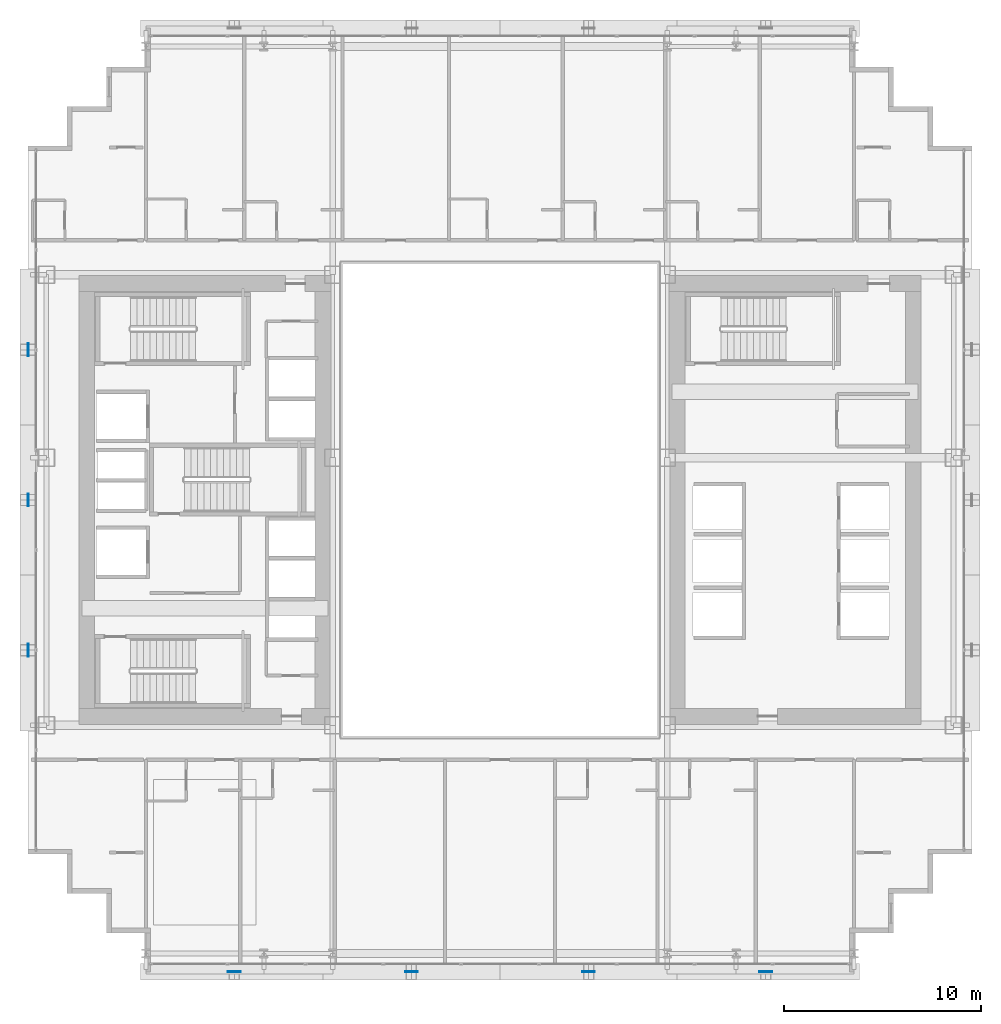
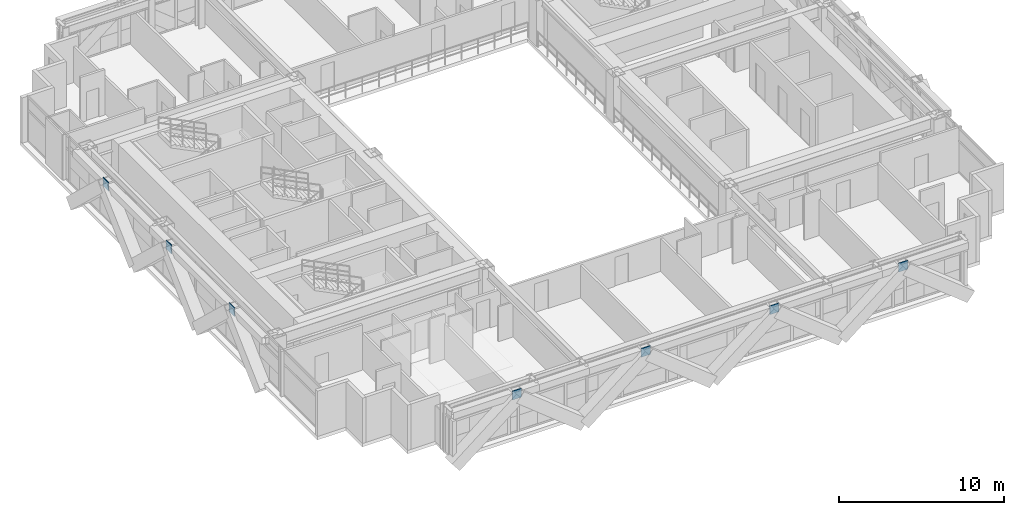
# One storey, part 25 of 35: 7 plates.
"""IFC4 building model written with IfcOpenShell, lengths in metres."""

from ifc_helpers import new_model, si_unit, direction, frame, origin, origin_2d, place, context, subcontext, project, spatial, rectangle, extrude, source, transform, mapped, material, layer, layer_set, type_object, element, save


model = new_model("IFC4")

# Units and contexts
model_context = context("Model", 3, precision=1e-05, world=origin(), true_north=direction((0.0, 1.0)))
body_context = subcontext(model_context, "Body", "Model", "MODEL_VIEW")
ifc_project = project(units=[si_unit("LENGTHUNIT", "METRE"), si_unit("AREAUNIT", "SQUARE_METRE"), si_unit("VOLUMEUNIT", "CUBIC_METRE"), si_unit("PLANEANGLEUNIT", "RADIAN"), si_unit("MASSUNIT", "GRAM", prefix="KILO")], contexts=[model_context])

# Site, building, storey
site_placement = place(None, origin())
site = spatial("IfcSite", under=ifc_project, at=site_placement, CompositionType="ELEMENT")
building_placement = place(site_placement, origin())
building = spatial("IfcBuilding", under=site, at=building_placement, Name="Ocotamira Hotel", CompositionType="ELEMENT")
storey_placement = place(building_placement, frame((0.0, 0.0, 70.800048828125)))
storey = spatial("IfcBuildingStorey", under=building, at=storey_placement, Name="L17", CompositionType="ELEMENT", Elevation=70.800048828125)

# Plates
ifc_material = material(Name="Pale-metal coated steel ASTM A572 Grade 50", Category="steel")
ifc_layer = layer(ifc_material, 0.0400390625)
ifc_layer_set = layer_set([ifc_layer], Name="Pale-metal coated steel ASTM A572 Grade 50")
plate_type = type_object("IfcPlateType", Name="PLT-GUSSET-40", PredefinedType="SHEET", material=ifc_layer_set)
shared_shape_1 = source(origin(), body_context, "Body", "SweptSolid", [
    extrude(rectangle(XDim=0.64990234375, YDim=0.0400390625, at=origin_2d()), origin(), (0.0, 0.0, 1.0), 0.64990234375),
])
for number, where, z_axis, x_axis, name in (
    (1, (18.5, 2.030029296875, 2.77490234375), (0.0, 0.0, 1.0), (1.0, 0.0, 0.0), "L17 Exoskeleton Diagrid S0.1 End Gusset B"),
    (2, (27.5, 2.030029296875, 2.77490234375), (0.0, 0.0, 1.0), (1.0, 0.0, 0.0), "L17 Exoskeleton Diagrid S1.1 End Gusset B"),
    (3, (36.5, 2.030029296875, 2.77490234375), (0.0, 0.0, 1.0), (1.0, 0.0, 0.0), "L17 Exoskeleton Diagrid S2.1 End Gusset B"),
    (4, (45.5, 2.030029296875, 2.77490234375), (0.0, 0.0, 1.0), (1.0, 0.0, 0.0), "L17 Exoskeleton Diagrid S3.1 End Gusset B"),
):
    element("IfcPlate", number, at=place(storey_placement, frame(where, z_axis=z_axis, x_axis=x_axis)), inside=storey, type_object=plate_type, Name=name, PredefinedType="SHEET", context=body_context, shape_type="MappedRepresentation", body=[
        mapped(shared_shape_1, transform((0.0, 0.0, 0.0), scale=1.0)),
    ])
shared_shape_2 = source(origin(), body_context, "Body", "SweptSolid", [
    extrude(rectangle(XDim=0.0400390625, YDim=0.64990234375, at=origin_2d()), origin(), (0.0, 0.0, 1.0), 0.64990234375),
])
for number, where, z_axis, x_axis, name in (
    (5, (8.030029296875, 18.36669921875, 2.77490234375), (0.0, 0.0, 1.0), (1.0, 0.0, 0.0), "L17 Exoskeleton Diagrid W0.1 End Gusset B"),
    (6, (8.030029296875, 26.0, 2.77490234375), (0.0, 0.0, 1.0), (1.0, 0.0, 0.0), "L17 Exoskeleton Diagrid W1.1 End Gusset B"),
    (7, (8.030029296875, 33.63330078125, 2.77490234375), (0.0, 0.0, 1.0), (1.0, 0.0, 0.0), "L17 Exoskeleton Diagrid W2.1 End Gusset B"),
):
    element("IfcPlate", number, at=place(storey_placement, frame(where, z_axis=z_axis, x_axis=x_axis)), inside=storey, type_object=plate_type, Name=name, PredefinedType="SHEET", context=body_context, shape_type="MappedRepresentation", body=[
        mapped(shared_shape_2, transform((0.0, 0.0, 0.0), scale=1.0)),
    ])

save(model, "model.ifc")
